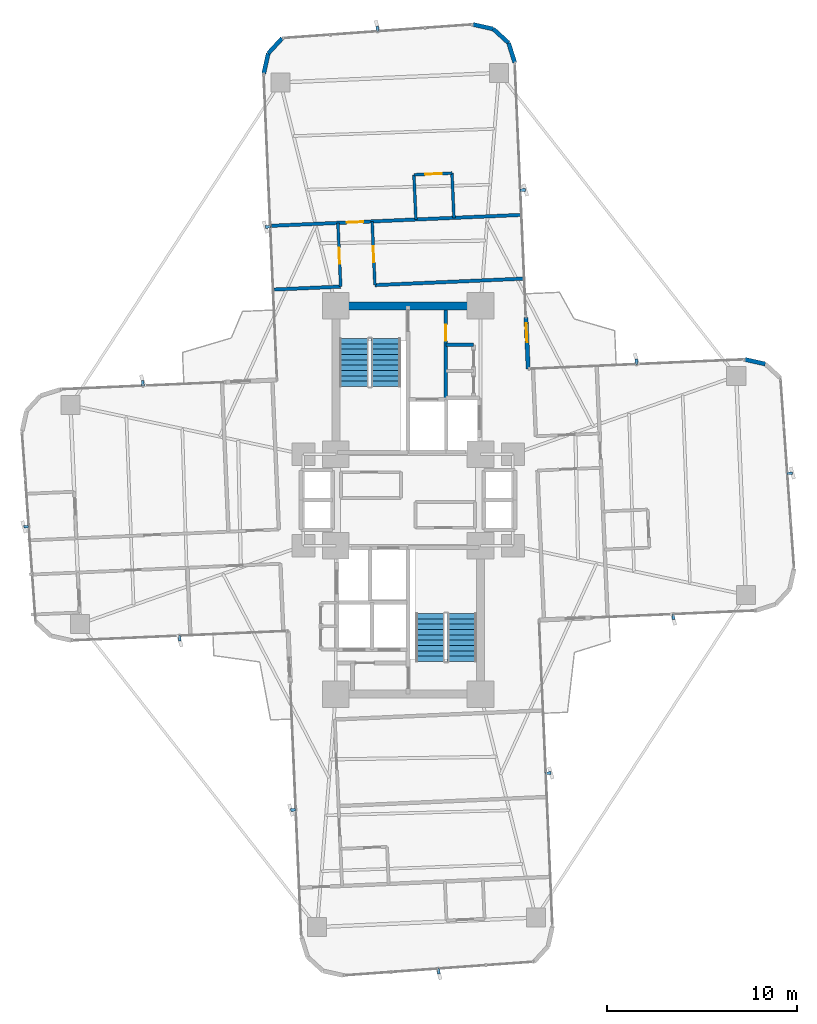
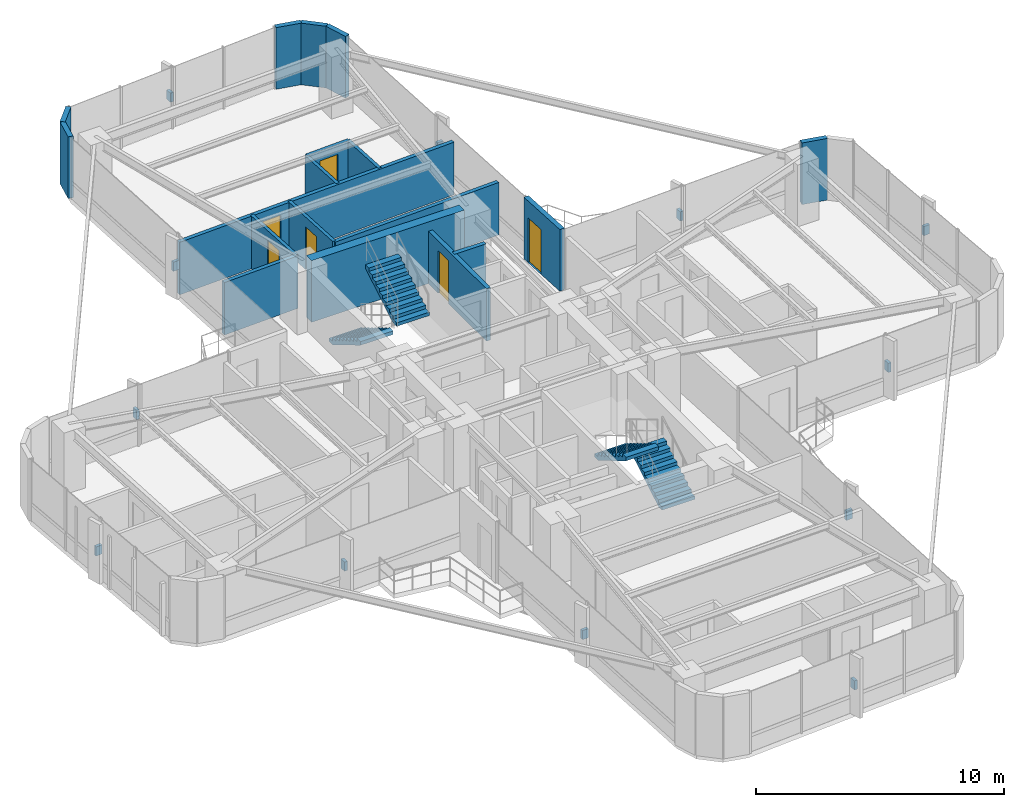
# One storey, part 25 of 26: 18 walls, 12 discrete accessories, 6 doors, 4 stair flights, 6 openings, 2 elements without a shape of their own.
"""IFC4 building model written with IfcOpenShell, lengths in metres."""

from ifc_helpers import new_model, si_unit, direction, frame, frame_2d, origin, origin_2d, place, context, subcontext, project, spatial, polyline, rectangle, outline, extrude, source, transform, mapped, material, layer, layer_set, type_object, element, fill, aggregate, save


model = new_model("IFC4")

# Units and contexts
model_context = context("Model", 3, precision=1e-05, world=origin(), true_north=direction((0.0, 1.0)))
body_context = subcontext(model_context, "Body", "Model", "MODEL_VIEW")
ifc_project = project(units=[si_unit("LENGTHUNIT", "METRE"), si_unit("AREAUNIT", "SQUARE_METRE"), si_unit("VOLUMEUNIT", "CUBIC_METRE"), si_unit("PLANEANGLEUNIT", "RADIAN"), si_unit("MASSUNIT", "GRAM", prefix="KILO")], contexts=[model_context])

# Site, building, storey
site_placement = place(None, origin())
site = spatial("IfcSite", under=ifc_project, at=site_placement, CompositionType="ELEMENT")
building_placement = place(site_placement, origin())
building = spatial("IfcBuilding", under=site, at=building_placement, Name="Sahyath Konkavel Grand Hotel", CompositionType="ELEMENT")
storey_placement = place(building_placement, frame((0.0, 0.0, 134.89990234375)))
storey = spatial("IfcBuildingStorey", under=building, at=storey_placement, Name="L37", CompositionType="ELEMENT", Elevation=134.89990234375)

# Walls
ifc_material_1 = material(Name="Concrete C50/60", Category="concrete")
ifc_layer_1 = layer(ifc_material_1, 0.419921875)
ifc_layer_set_1 = layer_set([ifc_layer_1], Name="Concrete C50/60")
wall_type_1 = type_object("IfcWallType", Name="CWALL-420", PredefinedType="SHEAR", material=ifc_layer_set_1)
wall_1_placement = place(storey_placement, frame((-3.550048828125, 10.199951171875, 0.0), z_axis=(0.0, 0.0, 1.0), x_axis=(1.0, 0.0, 0.0)))
element("IfcWall", 1, at=wall_1_placement, inside=storey, type_object=wall_type_1, Name="L37 North Core Shear Wall N", PredefinedType="SHEAR", context=body_context, shape_type="SweptSolid", body=[
    extrude(rectangle(XDim=7.10009765625, YDim=0.419921875, at=frame_2d((3.550048828125, 0.0))), origin(), (0.0, 0.0, 1.0), 3.030029296875),
])
ifc_material_2 = material(Name="Warm Buff Sandstone Insulated Concrete C40/50", Category="masonry")
ifc_layer_2 = layer(ifc_material_2, 0.219970703125)
ifc_layer_set_2 = layer_set([ifc_layer_2], Name="Warm Buff Sandstone Insulated Concrete C40/50")
wall_type_2 = type_object("IfcWallType", Name="WLL-BALC-THRESH", PredefinedType="STANDARD", material=ifc_layer_set_2)
wall_2_placement = place(storey_placement, frame((18.75634765625, 7.1435546875, 0.0), z_axis=(0.0, 0.0, 1.0), x_axis=(-0.976282085775, 0.216502399514, 0.0)))
element("IfcWall", 2, at=wall_2_placement, inside=storey, type_object=wall_type_2, Name="L37 Rounded Corner Sandstone Pier 6", PredefinedType="STANDARD", context=body_context, shape_type="SweptSolid", body=[
    extrude(rectangle(XDim=1.087158203125, YDim=0.219970703125, at=frame_2d((0.54345703125, 0.0))), origin(), (0.0, 0.0, 1.0), 3.030029296875),
])

# Wall, opening, door
wall_3_placement = place(storey_placement, frame((6.305908203125, 6.881591796875, 0.0), z_axis=(0.0, 0.0, 1.0), x_axis=(-0.043672655174, 0.999045894436, 0.0)))
wall_3 = element("IfcWall", 3, at=wall_3_placement, inside=storey, type_object=wall_type_2, Name="L37 Winter-Garden Threshold Wall 8", PredefinedType="STANDARD", context=body_context, shape_type="SweptSolid", body=[
    extrude(rectangle(XDim=2.7001953125, YDim=0.219970703125, at=frame_2d((1.35009765625, 0.0))), origin(), (0.0, 0.0, 1.0), 3.030029296875),
])
opening_1_placement = place(wall_3_placement, frame((1.39990234375, 0.0, 0.0)))
opening_1 = element("IfcOpeningElement", 4, at=opening_1_placement, cuts=wall_3, Name="Opening D-TR1", PredefinedType="OPENING", context=body_context, shape_type="SweptSolid", body=[
    extrude(rectangle(XDim=1.0, YDim=2.199951171875, at=frame_2d((0.5, 1.10009765625))), frame((0.0, 0.1201171875, 0.0), z_axis=(0.0, -1.0, 0.0), x_axis=(1.0, 0.0, 0.0)), (0.0, 0.0, 1.0), 0.239990234375),
])
ifc_material_3 = material(Name="Anodised Bronze Aluminium & Low-E Glazing", Category="aluminium")
door_type_1 = type_object("IfcDoorType", Name="DR-TERRACE-1000", OperationType="NOTDEFINED", PredefinedType="DOOR", material=ifc_material_3)
shared_shape_1 = source(origin(), body_context, "Body", "SweptSolid", [
    extrude(rectangle(XDim=1.0, YDim=0.050048828125, at=origin_2d()), origin(), (0.0, 0.0, 1.0), 2.199951171875),
])
door_1_placement = place(opening_1_placement, frame((0.5, 0.0, 0.0)))
door_1 = element("IfcDoor", 5, at=door_1_placement, inside=storey, type_object=door_type_1, Name="L37 Winter-Garden Terrace Door 8", OperationType="SINGLE_SWING_LEFT", OverallHeight=2.199951171875, OverallWidth=1.0, PredefinedType="DOOR", context=body_context, shape_type="MappedRepresentation", body=[
    mapped(shared_shape_1, transform((0.0, 0.0, 0.0), scale=1.0)),
])
fill(opening_1, door_1)

# Walls
wall_4_placement = place(storey_placement, frame((5.603515625, 22.96630859375, 0.0), z_axis=(0.0, 0.0, 1.0), x_axis=(-0.300755105707, 0.953701403161, 0.0)))
element("IfcWall", 6, at=wall_4_placement, inside=storey, type_object=wall_type_2, Name="L37 Rounded Corner Sandstone Pier 9", PredefinedType="STANDARD", context=body_context, shape_type="SweptSolid", body=[
    extrude(rectangle(XDim=1.0869140625, YDim=0.219970703125, at=frame_2d((0.54345703125, 0.0))), origin(), (0.0, 0.0, 1.0), 3.030029296875),
])
wall_5_placement = place(storey_placement, frame((5.276611328125, 24.0029296875, 0.0), z_axis=(0.0, 0.0, 1.0), x_axis=(-0.737312600672, 0.675551721847, 0.0)))
element("IfcWall", 7, at=wall_5_placement, inside=storey, type_object=wall_type_2, Name="L37 Rounded Corner Sandstone Pier 10", PredefinedType="STANDARD", context=body_context, shape_type="SweptSolid", body=[
    extrude(rectangle(XDim=1.087158203125, YDim=0.219970703125, at=frame_2d((0.54345703125, 0.0))), origin(), (0.0, 0.0, 1.0), 3.030029296875),
])
for number, where, z_axis, x_axis, name in (
    (8, (4.47509765625, 24.7373046875, 0.0), (0.0, 0.0, 1.0), (-0.976271555154, 0.216549880158, 0.0), "L37 Rounded Corner Sandstone Pier 11"),
    (9, (-6.6142578125, 24.253173828125, 0.0), (0.0, 0.0, 1.0), (-0.675663596772, -0.737210081318, 0.0), "L37 Rounded Corner Sandstone Pier 13"),
):
    element("IfcWall", number, at=place(storey_placement, frame(where, z_axis=z_axis, x_axis=x_axis)), inside=storey, type_object=wall_type_2, Name=name, PredefinedType="STANDARD", context=body_context, shape_type="SweptSolid", body=[
        extrude(rectangle(XDim=1.0869140625, YDim=0.219970703125, at=frame_2d((0.54345703125, 0.0))), origin(), (0.0, 0.0, 1.0), 3.030029296875),
    ])
wall_6_placement = place(storey_placement, frame((-7.3486328125, 23.451904296875, 0.0), z_axis=(0.0, 0.0, 1.0), x_axis=(-0.216454939174, -0.976292609471, 0.0)))
element("IfcWall", 10, at=wall_6_placement, inside=storey, type_object=wall_type_2, Name="L37 Rounded Corner Sandstone Pier 14", PredefinedType="STANDARD", context=body_context, shape_type="SweptSolid", body=[
    extrude(rectangle(XDim=1.08740234375, YDim=0.219970703125, at=frame_2d((0.543701171875, 0.0))), origin(), (0.0, 0.0, 1.0), 3.030029296875),
])

# Wall, opening, door
ifc_material_4 = material(Name="Concrete C40/50", Category="concrete")
ifc_layer_3 = layer(ifc_material_4, 0.199951171875)
ifc_layer_set_3 = layer_set([ifc_layer_3], Name="Concrete C40/50")
wall_type_3 = type_object("IfcWallType", Name="WLL-CORE-200", PredefinedType="SOLIDWALL", material=ifc_layer_set_3)
wall_7_placement = place(storey_placement, frame((1.97998046875, 5.320068359375, 0.0), z_axis=(0.0, 0.0, 1.0), x_axis=(0.0, 1.0, 0.0)))
wall_7 = element("IfcWall", 11, at=wall_7_placement, inside=storey, type_object=wall_type_3, Name="L37 North Firefighting Lobby Wall E", PredefinedType="SOLIDWALL", context=body_context, shape_type="SweptSolid", body=[
    extrude(rectangle(XDim=4.659912109375, YDim=0.199951171875, at=frame_2d((2.330078125, 0.0))), origin(), (0.0, 0.0, 1.0), 2.580078125),
])
opening_2_placement = place(wall_7_placement, frame((3.0400390625, 0.0, 0.0)))
opening_2 = element("IfcOpeningElement", 12, at=opening_2_placement, cuts=wall_7, Name="Opening D-F12D", PredefinedType="OPENING", context=body_context, shape_type="SweptSolid", body=[
    extrude(rectangle(XDim=0.85009765625, YDim=2.10009765625, at=frame_2d((0.425048828125, 1.050048828125))), frame((0.0, 0.10986328125, 0.0), z_axis=(0.0, -1.0, 0.0), x_axis=(1.0, 0.0, 0.0)), (0.0, 0.0, 1.0), 0.219970703125),
])
ifc_material_5 = material(Name="Steel E350 Core Fire Door", Category="steel")
door_type_2 = type_object("IfcDoorType", Name="DR-FD120-850", OperationType="NOTDEFINED", PredefinedType="DOOR", material=ifc_material_5)
shared_shape_2 = source(origin(), body_context, "Body", "SweptSolid", [
    extrude(rectangle(XDim=0.85009765625, YDim=0.050048828125, at=origin_2d()), origin(), (0.0, 0.0, 1.0), 2.10009765625),
])
door_2_placement = place(opening_2_placement, frame((0.425048828125, 0.0, 0.0)))
door_2 = element("IfcDoor", 13, at=door_2_placement, inside=storey, type_object=door_type_2, Name="L37 North Firefighting Lobby Door", OperationType="SINGLE_SWING_LEFT", OverallHeight=2.10009765625, OverallWidth=0.85009765625, PredefinedType="DOOR", context=body_context, shape_type="MappedRepresentation", body=[
    mapped(shared_shape_2, transform((0.0, 0.0, 0.0), scale=1.0)),
])
fill(opening_2, door_2)

# Walls
wall_8_placement = place(storey_placement, frame((1.97998046875, 8.14990234375, 0.0), z_axis=(0.0, 0.0, 1.0), x_axis=(1.0, 0.0, 0.0)))
element("IfcWall", 14, at=wall_8_placement, inside=storey, type_object=wall_type_3, Name="L37 Partition NC-REC-N", PredefinedType="SOLIDWALL", context=body_context, shape_type="SweptSolid", body=[
    extrude(rectangle(XDim=1.4599609375, YDim=0.199951171875, at=frame_2d((0.72998046875, 0.0))), origin(), (0.0, 0.0, 1.0), 2.580078125),
])
ifc_material_6 = material(Name="Twin-Stud Acoustic Gypsum Plasterboard Partition")
ifc_layer_4 = layer(ifc_material_6, 0.179931640625)
ifc_layer_set_4 = layer_set([ifc_layer_4], Name="Twin-Stud Acoustic Gypsum Plasterboard Partition")
wall_type_4 = type_object("IfcWallType", Name="WLL-DEMISE-180", PredefinedType="PARTITIONING", material=ifc_layer_set_4)
wall_9_placement = place(storey_placement, frame((-3.542236328125, 11.206298828125, 0.0), z_axis=(0.0, 0.0, 1.0), x_axis=(-0.999046129111, -0.04366728647, 0.0)))
element("IfcWall", 15, at=wall_9_placement, inside=storey, type_object=wall_type_4, Name="L37 Partition N-INL", PredefinedType="PARTITIONING", context=body_context, shape_type="SweptSolid", body=[
    extrude(rectangle(XDim=3.5, YDim=0.179931640625, at=frame_2d((1.75, 0.0))), origin(), (0.0, 0.0, 1.0), 2.580078125),
])
wall_10_placement = place(storey_placement, frame((6.048583984375, 11.625, 0.0), z_axis=(0.0, 0.0, 1.0), x_axis=(-0.999047634936, -0.043632821702, 0.0)))
element("IfcWall", 16, at=wall_10_placement, inside=storey, type_object=wall_type_4, Name="L37 Partition N-INR", PredefinedType="PARTITIONING", context=body_context, shape_type="SweptSolid", body=[
    extrude(rectangle(XDim=7.7998046875, YDim=0.179931640625, at=frame_2d((3.89990234375, 0.0))), origin(), (0.0, 0.0, 1.0), 2.580078125),
])

# Wall, opening, door
wall_11_placement = place(storey_placement, frame((5.902587890625, 14.9716796875, 0.0), z_axis=(0.0, 0.0, 1.0), x_axis=(-0.999048653727, -0.043609488494, 0.0)))
wall_11 = element("IfcWall", 17, at=wall_11_placement, inside=storey, type_object=wall_type_4, Name="L37 Partition N-NTIP-END", PredefinedType="PARTITIONING", context=body_context, shape_type="SweptSolid", body=[
    extrude(rectangle(XDim=13.10009765625, YDim=0.179931640625, at=frame_2d((6.550048828125, 0.0))), origin(), (0.0, 0.0, 1.0), 2.580078125),
])
opening_3_placement = place(wall_11_placement, frame((8.27490234375, 0.0, 0.0)))
opening_3 = element("IfcOpeningElement", 18, at=opening_3_placement, cuts=wall_11, Name="Opening D-F06D", PredefinedType="OPENING", context=body_context, shape_type="SweptSolid", body=[
    extrude(rectangle(XDim=0.85009765625, YDim=2.10009765625, at=frame_2d((0.425048828125, 1.050048828125))), frame((0.0, 0.10009765625, 0.0), z_axis=(0.0, -1.0, 0.0), x_axis=(1.0, 0.0, 0.0)), (0.0, 0.0, 1.0), 0.199951171875),
])
ifc_material_7 = material(Name="Fire-Rated Shaft Access Door")
door_type_3 = type_object("IfcDoorType", Name="DR-FD60-850", OperationType="NOTDEFINED", PredefinedType="DOOR", material=ifc_material_7)
door_3_placement = place(opening_3_placement, frame((0.425048828125, 0.0, 0.0)))
door_3 = element("IfcDoor", 19, at=door_3_placement, inside=storey, type_object=door_type_3, Name="L37 Door N-NTIP-ED", OperationType="SINGLE_SWING_LEFT", OverallHeight=2.10009765625, OverallWidth=0.85009765625, PredefinedType="DOOR", context=body_context, shape_type="MappedRepresentation", body=[
    mapped(shared_shape_2, transform((0.0, 0.0, 0.0), scale=1.0)),
])
fill(opening_3, door_3)

ifc_material_8 = material(Name="Fire-Rated Gypsum Plasterboard Partition")
ifc_layer_5 = layer(ifc_material_8, 0.14990234375)
ifc_layer_set_5 = layer_set([ifc_layer_5], Name="Fire-Rated Gypsum Plasterboard Partition")
wall_type_5 = type_object("IfcWallType", Name="WLL-PART-150", PredefinedType="PARTITIONING", material=ifc_layer_set_5)
wall_12_placement = place(storey_placement, frame((-3.542236328125, 11.206298828125, 0.0), z_axis=(0.0, 0.0, 1.0), x_axis=(-0.043582710367, 0.99904982226, 0.0)))
wall_12 = element("IfcWall", 20, at=wall_12_placement, inside=storey, type_object=wall_type_5, Name="L37 Partition N-CL", PredefinedType="PARTITIONING", context=body_context, shape_type="SweptSolid", body=[
    extrude(rectangle(XDim=3.349853515625, YDim=0.14990234375, at=frame_2d((1.6748046875, 0.0))), origin(), (0.0, 0.0, 1.0), 2.580078125),
])
opening_4_placement = place(wall_12_placement, frame((1.199951171875, 0.0, 0.0)))
opening_4 = element("IfcOpeningElement", 21, at=opening_4_placement, cuts=wall_12, Name="Opening D-F06D", PredefinedType="OPENING", context=body_context, shape_type="SweptSolid", body=[
    extrude(rectangle(XDim=0.85009765625, YDim=2.10009765625, at=frame_2d((0.425048828125, 1.050048828125))), frame((0.0, 0.0849609375, 0.0), z_axis=(0.0, -1.0, 0.0), x_axis=(1.0, 0.0, 0.0)), (0.0, 0.0, 1.0), 0.169921875),
])
door_4_placement = place(opening_4_placement, frame((0.425048828125, 0.0, 0.0)))
door_4 = element("IfcDoor", 22, at=door_4_placement, inside=storey, type_object=door_type_3, Name="L37 Door N-NS3L-D", OperationType="SINGLE_SWING_RIGHT", OverallHeight=2.10009765625, OverallWidth=0.85009765625, PredefinedType="DOOR", context=body_context, shape_type="MappedRepresentation", body=[
    mapped(shared_shape_2, transform((0.0, 0.0, 0.0), scale=1.0)),
])
fill(opening_4, door_4)

wall_13_placement = place(storey_placement, frame((-1.743896484375, 11.28466796875, 0.0), z_axis=(0.0, 0.0, 1.0), x_axis=(-0.043579537274, 0.999049960678, 0.0)))
wall_13 = element("IfcWall", 23, at=wall_13_placement, inside=storey, type_object=wall_type_5, Name="L37 Partition N-CR", PredefinedType="PARTITIONING", context=body_context, shape_type="SweptSolid", body=[
    extrude(rectangle(XDim=3.35009765625, YDim=0.14990234375, at=frame_2d((1.675048828125, 0.0))), origin(), (0.0, 0.0, 1.0), 2.580078125),
])
opening_5_placement = place(wall_13_placement, frame((1.199951171875, 0.0, 0.0)))
opening_5 = element("IfcOpeningElement", 24, at=opening_5_placement, cuts=wall_13, Name="Opening D-F06D", PredefinedType="OPENING", context=body_context, shape_type="SweptSolid", body=[
    extrude(rectangle(XDim=0.85009765625, YDim=2.10009765625, at=frame_2d((0.425048828125, 1.050048828125))), frame((0.0, 0.0849609375, 0.0), z_axis=(0.0, -1.0, 0.0), x_axis=(1.0, 0.0, 0.0)), (0.0, 0.0, 1.0), 0.169921875),
])
door_5_placement = place(opening_5_placement, frame((0.425048828125, 0.0, 0.0)))
door_5 = element("IfcDoor", 25, at=door_5_placement, inside=storey, type_object=door_type_3, Name="L37 Door N-NS3R-D", OperationType="SINGLE_SWING_LEFT", OverallHeight=2.10009765625, OverallWidth=0.85009765625, PredefinedType="DOOR", context=body_context, shape_type="MappedRepresentation", body=[
    mapped(shared_shape_2, transform((0.0, 0.0, 0.0), scale=1.0)),
])
fill(opening_5, door_5)

# Walls
wall_14_placement = place(storey_placement, frame((0.40771484375, 14.731689453125, 0.0), z_axis=(0.0, 0.0, 1.0), x_axis=(-0.043527387554, 0.999052234136, 0.0)))
element("IfcWall", 26, at=wall_14_placement, inside=storey, type_object=wall_type_5, Name="L37 Partition N-NTIP-BN", PredefinedType="PARTITIONING", context=body_context, shape_type="SweptSolid", body=[
    extrude(rectangle(XDim=2.35009765625, YDim=0.14990234375, at=frame_2d((1.175048828125, 0.0))), origin(), (0.0, 0.0, 1.0), 2.580078125),
])
wall_15_placement = place(storey_placement, frame((2.406005859375, 14.819091796875, 0.0), z_axis=(0.0, 0.0, 1.0), x_axis=(-0.04363560271, 0.999047513473, 0.0)))
element("IfcWall", 27, at=wall_15_placement, inside=storey, type_object=wall_type_5, Name="L37 Partition N-NTIP-BS", PredefinedType="PARTITIONING", context=body_context, shape_type="SweptSolid", body=[
    extrude(rectangle(XDim=2.349853515625, YDim=0.14990234375, at=frame_2d((1.1748046875, 0.0))), origin(), (0.0, 0.0, 1.0), 2.580078125),
])

# Wall, opening, door
wall_16_placement = place(storey_placement, frame((2.303466796875, 17.166748046875, 0.0), z_axis=(0.0, 0.0, 1.0), x_axis=(-0.999049929275, -0.043580257179, 0.0)))
wall_16 = element("IfcWall", 28, at=wall_16_placement, inside=storey, type_object=wall_type_5, Name="L37 Partition N-NTIP-BE", PredefinedType="PARTITIONING", context=body_context, shape_type="SweptSolid", body=[
    extrude(rectangle(XDim=2.0, YDim=0.14990234375, at=frame_2d((1.0, 0.0))), origin(), (0.0, 0.0, 1.0), 2.580078125),
])
opening_6_placement = place(wall_16_placement, frame((0.550048828125, 0.0, 0.0)))
opening_6 = element("IfcOpeningElement", 29, at=opening_6_placement, cuts=wall_16, Name="Opening D-BT85", PredefinedType="OPENING", context=body_context, shape_type="SweptSolid", body=[
    extrude(rectangle(XDim=0.85009765625, YDim=2.10009765625, at=frame_2d((0.425048828125, 1.050048828125))), frame((0.0, 0.0849609375, 0.0), z_axis=(0.0, -1.0, 0.0), x_axis=(1.0, 0.0, 0.0)), (0.0, 0.0, 1.0), 0.169921875),
])
ifc_material_9 = material(Name="Moisture-Resistant Teak Bathroom Door")
door_type_4 = type_object("IfcDoorType", Name="DR-BATH-850", OperationType="NOTDEFINED", PredefinedType="DOOR", material=ifc_material_9)
door_6_placement = place(opening_6_placement, frame((0.425048828125, 0.0, 0.0)))
door_6 = element("IfcDoor", 30, at=door_6_placement, inside=storey, type_object=door_type_4, Name="L37 Door N-NTIP-BD", OperationType="SINGLE_SWING_RIGHT", OverallHeight=2.10009765625, OverallWidth=0.85009765625, PredefinedType="DOOR", context=body_context, shape_type="MappedRepresentation", body=[
    mapped(shared_shape_2, transform((0.0, 0.0, 0.0), scale=1.0)),
])
fill(opening_6, door_6)

# Stair, stair flights
stair_type = type_object("IfcStairType", Name="STR-ST16-335", PredefinedType="HALF_TURN_STAIR", material=ifc_material_4)
stair_1_placement = place(storey_placement, origin())
stair_1 = element("IfcStair", 31, at=stair_1_placement, inside=storey, type_object=stair_type, Name="L37 North Core Smokeproof Exit Stair ST-1", PredefinedType="HALF_TURN_STAIR")
stair_flight_type = type_object("IfcStairFlightType", Name="STF-ST16-335", PredefinedType="STRAIGHT", material=ifc_material_4)
stair_flight_1_placement = place(storey_placement, frame((-2.840087890625, 8.47998046875, 0.0), z_axis=(0.0, 0.0, 1.0), x_axis=(0.0, -1.0, 0.0)))
stair_flight_1 = element("IfcStairFlight", 32, at=stair_flight_1_placement, type_object=stair_flight_type, Name="ST-1 flight 1", NumberOfRisers=10, NumberOfTreads=9, PredefinedType="STRAIGHT", RiserHeight=0.1675, TreadLength=0.28, context=body_context, shape_type="SweptSolid", body=[
    extrude(outline(polyline([(0.0, 0.0), (0.0, 0.16748046875), (0.280029296875, 0.16748046875), (0.280029296875, 0.3349609375), (0.56005859375, 0.3349609375), (0.56005859375, 0.50244140625), (0.840087890625, 0.50244140625), (0.840087890625, 0.669921875), (1.1201171875, 0.669921875), (1.1201171875, 0.83740234375), (1.39990234375, 0.83740234375), (1.39990234375, 1.0048828125), (1.679931640625, 1.0048828125), (1.679931640625, 1.172607421875), (1.9599609375, 1.172607421875), (1.9599609375, 1.340087890625), (2.239990234375, 1.340087890625), (2.239990234375, 1.507568359375), (2.52001953125, 1.507568359375), (2.52001953125, 1.675048828125), (2.52001953125, 1.332763671875), (0.2919921875, 0.0), (0.0, 0.0)])), frame((0.0, 0.760009765625, 0.0), z_axis=(0.0, -1.0, 0.0), x_axis=(1.0, 0.0, 0.0)), (0.0, 0.0, 1.0), 1.52001953125),
])
stair_flight_2_placement = place(storey_placement, frame((-1.159912109375, 5.9599609375, 1.675048828125), z_axis=(0.0, 0.0, 1.0), x_axis=(0.0, 1.0, 0.0)))
stair_flight_2 = element("IfcStairFlight", 33, at=stair_flight_2_placement, type_object=stair_flight_type, Name="ST-1 flight 2", NumberOfRisers=10, NumberOfTreads=9, PredefinedType="STRAIGHT", RiserHeight=0.1675, TreadLength=0.28, context=body_context, shape_type="SweptSolid", body=[
    extrude(outline(polyline([(0.0, 0.0), (0.0, 0.16748046875), (0.280029296875, 0.16748046875), (0.280029296875, 0.3349609375), (0.56005859375, 0.3349609375), (0.56005859375, 0.50244140625), (0.840087890625, 0.50244140625), (0.840087890625, 0.669921875), (1.1201171875, 0.669921875), (1.1201171875, 0.83740234375), (1.39990234375, 0.83740234375), (1.39990234375, 1.0048828125), (1.679931640625, 1.0048828125), (1.679931640625, 1.172607421875), (1.9599609375, 1.172607421875), (1.9599609375, 1.340087890625), (2.239990234375, 1.340087890625), (2.239990234375, 1.507568359375), (2.52001953125, 1.507568359375), (2.52001953125, 1.675048828125), (2.52001953125, 1.332763671875), (0.2919921875, 0.0), (0.0, 0.0)])), frame((0.0, 0.760009765625, 0.0), z_axis=(0.0, -1.0, 0.0), x_axis=(1.0, 0.0, 0.0)), (0.0, 0.0, 1.0), 1.52001953125),
])
aggregate(stair_1, [stair_flight_1, stair_flight_2])

stair_2_placement = place(storey_placement, origin())
stair_2 = element("IfcStair", 34, at=stair_2_placement, inside=storey, type_object=stair_type, Name="L37 South Core Smokeproof Exit Stair ST-2", PredefinedType="HALF_TURN_STAIR")
stair_flight_3_placement = place(storey_placement, frame((2.840087890625, -8.47998046875, 0.0), z_axis=(0.0, 0.0, 1.0), x_axis=(0.0, 1.0, 0.0)))
stair_flight_3 = element("IfcStairFlight", 35, at=stair_flight_3_placement, type_object=stair_flight_type, Name="ST-2 flight 1", NumberOfRisers=10, NumberOfTreads=9, PredefinedType="STRAIGHT", RiserHeight=0.1675, TreadLength=0.28, context=body_context, shape_type="SweptSolid", body=[
    extrude(outline(polyline([(0.0, 0.0), (0.0, 0.16748046875), (0.280029296875, 0.16748046875), (0.280029296875, 0.3349609375), (0.56005859375, 0.3349609375), (0.56005859375, 0.50244140625), (0.840087890625, 0.50244140625), (0.840087890625, 0.669921875), (1.1201171875, 0.669921875), (1.1201171875, 0.83740234375), (1.39990234375, 0.83740234375), (1.39990234375, 1.0048828125), (1.679931640625, 1.0048828125), (1.679931640625, 1.172607421875), (1.9599609375, 1.172607421875), (1.9599609375, 1.340087890625), (2.239990234375, 1.340087890625), (2.239990234375, 1.507568359375), (2.52001953125, 1.507568359375), (2.52001953125, 1.675048828125), (2.52001953125, 1.332763671875), (0.2919921875, 0.0), (0.0, 0.0)])), frame((0.0, 0.760009765625, 0.0), z_axis=(0.0, -1.0, 0.0), x_axis=(1.0, 0.0, 0.0)), (0.0, 0.0, 1.0), 1.52001953125),
])
stair_flight_4_placement = place(storey_placement, frame((1.159912109375, -5.9599609375, 1.675048828125), z_axis=(0.0, 0.0, 1.0), x_axis=(0.0, -1.0, 0.0)))
stair_flight_4 = element("IfcStairFlight", 36, at=stair_flight_4_placement, type_object=stair_flight_type, Name="ST-2 flight 2", NumberOfRisers=10, NumberOfTreads=9, PredefinedType="STRAIGHT", RiserHeight=0.1675, TreadLength=0.28, context=body_context, shape_type="SweptSolid", body=[
    extrude(outline(polyline([(0.0, 0.0), (0.0, 0.16748046875), (0.280029296875, 0.16748046875), (0.280029296875, 0.3349609375), (0.56005859375, 0.3349609375), (0.56005859375, 0.50244140625), (0.840087890625, 0.50244140625), (0.840087890625, 0.669921875), (1.1201171875, 0.669921875), (1.1201171875, 0.83740234375), (1.39990234375, 0.83740234375), (1.39990234375, 1.0048828125), (1.679931640625, 1.0048828125), (1.679931640625, 1.172607421875), (1.9599609375, 1.172607421875), (1.9599609375, 1.340087890625), (2.239990234375, 1.340087890625), (2.239990234375, 1.507568359375), (2.52001953125, 1.507568359375), (2.52001953125, 1.675048828125), (2.52001953125, 1.332763671875), (0.2919921875, 0.0), (0.0, 0.0)])), frame((0.0, 0.760009765625, 0.0), z_axis=(0.0, -1.0, 0.0), x_axis=(1.0, 0.0, 0.0)), (0.0, 0.0, 1.0), 1.52001953125),
])
aggregate(stair_2, [stair_flight_3, stair_flight_4])

# Discrete accessories
ifc_material_10 = material(Name="Steel E350", Category="steel")
discrete_accessory_type = type_object("IfcDiscreteAccessoryType", Name="ACC-FIN-BRACKET", PredefinedType="BRACKET", material=ifc_material_10)
shared_shape_3 = source(origin(), body_context, "Body", "SweptSolid", [
    extrude(rectangle(XDim=0.280029296875, YDim=0.139892578125, at=origin_2d()), origin(), (0.0, 0.0, 1.0), 0.449951171875),
])
for number, where, z_axis, x_axis, name in (
    (37, (13.9306640625, -6.128173828125, 1.2900390625), (0.0, 0.0, 1.0), (0.043601950678, -0.999048982732, 0.0), "L37 Fin Support Bracket F0-1"),
    (38, (20.047119140625, 1.404296875, 1.2900390625), (0.0, 0.0, 1.0), (0.997435789037, 0.071567078661, 0.0), "L37 Fin Support Bracket F4-2"),
    (39, (11.99462890625, 7.26025390625, 1.2900390625), (0.0, 0.0, 1.0), (-0.043619387365, 0.999048221582, 0.0), "L37 Fin Support Bracket F7-1"),
    (40, (6.025634765625, 16.2783203125, 1.2900390625), (0.0, 0.0, 1.0), (0.999048221582, 0.043619387365, 0.0), "L37 Fin Support Bracket F8-1"),
    (41, (-1.609375, 24.74267578125, 1.2900390625), (0.0, 0.0, 1.0), (-0.071567078661, 0.997435789037, 0.0), "L37 Fin Support Bracket F12-2"),
    (42, (-7.362548828125, 14.342529296875, 1.2900390625), (0.0, 0.0, 1.0), (-0.999048221582, -0.043619387365, 0.0), "L37 Fin Support Bracket F15-1"),
    (43, (-13.9306640625, 6.128173828125, 1.2900390625), (0.0, 0.0, 1.0), (-0.043601950678, 0.999048982732, 0.0), "L37 Fin Support Bracket F16-1"),
    (44, (-20.047119140625, -1.404296875, 1.2900390625), (0.0, 0.0, 1.0), (-0.997435789037, -0.071567078661, 0.0), "L37 Fin Support Bracket F20-2"),
    (45, (-11.99462890625, -7.26025390625, 1.2900390625), (0.0, 0.0, 1.0), (0.043619387365, -0.999048221582, 0.0), "L37 Fin Support Bracket F23-1"),
    (46, (-6.025634765625, -16.2783203125, 1.2900390625), (0.0, 0.0, 1.0), (-0.999048221582, -0.043619387365, 0.0), "L37 Fin Support Bracket F24-1"),
    (47, (1.609375, -24.74267578125, 1.2900390625), (0.0, 0.0, 1.0), (0.071567078661, -0.997435789037, 0.0), "L37 Fin Support Bracket F28-2"),
    (48, (7.362548828125, -14.342529296875, 1.2900390625), (0.0, 0.0, 1.0), (0.999048221582, 0.043619387365, 0.0), "L37 Fin Support Bracket F31-1"),
):
    element("IfcDiscreteAccessory", number, at=place(storey_placement, frame(where, z_axis=z_axis, x_axis=x_axis)), inside=storey, type_object=discrete_accessory_type, Name=name, PredefinedType="BRACKET", context=body_context, shape_type="MappedRepresentation", body=[
        mapped(shared_shape_3, transform((0.0, 0.0, 0.0), scale=1.0)),
    ])

save(model, "model.ifc")
